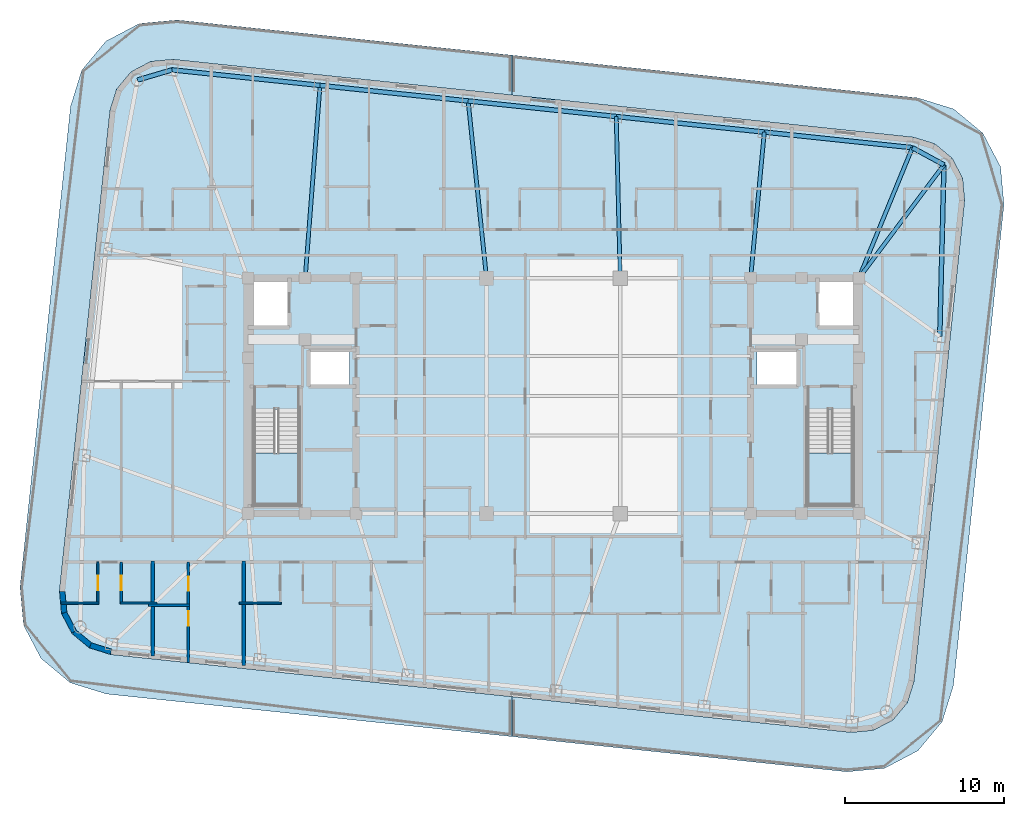
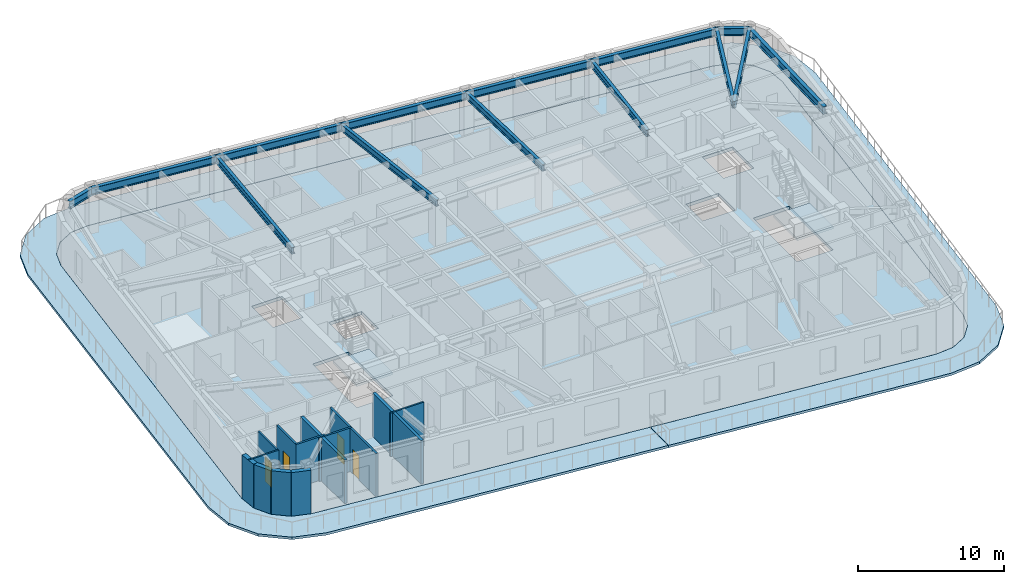
# One storey, part 2 of 14: 14 beams, 14 walls, 5 slabs, 4 doors, 4 openings, 2 elements without a shape of their own.
"""IFC4 building model written with IfcOpenShell, lengths in metres."""

from ifc_helpers import new_model, si_unit, direction, frame, frame_2d, origin, origin_2d, place, context, subcontext, project, spatial, polyline, rectangle, i_section, outline, extrude, material, layer, layer_set, material_profile, profile_set, type_object, element, fill, aggregate, save


model = new_model("IFC4")

# Units and contexts
model_context = context("Model", 3, precision=1e-05, world=origin(), true_north=direction((0.0, 1.0)))
body_context = subcontext(model_context, "Body", "Model", "MODEL_VIEW")
ifc_project = project(units=[si_unit("LENGTHUNIT", "METRE"), si_unit("AREAUNIT", "SQUARE_METRE"), si_unit("VOLUMEUNIT", "CUBIC_METRE"), si_unit("PLANEANGLEUNIT", "RADIAN"), si_unit("MASSUNIT", "GRAM", prefix="KILO")], contexts=[model_context])

# Site, building, storey
site_placement = place(None, origin())
site = spatial("IfcSite", under=ifc_project, at=site_placement, CompositionType="ELEMENT")
building_placement = place(site_placement, origin())
building = spatial("IfcBuilding", under=site, at=building_placement, Name="Voryun Gate Residences", CompositionType="ELEMENT")
storey_placement = place(building_placement, frame((0.0, 0.0, 291.199951171875)))
storey = spatial("IfcBuildingStorey", under=building, at=storey_placement, Name="L72", CompositionType="ELEMENT", Elevation=291.199951171875)

# Beams
ifc_material_1 = material(Name="Steel SM355", Category="steel")
ifc_material_profile_1 = material_profile(ifc_material_1, i_section(OverallWidth=0.280029296875, OverallDepth=0.6201171875, WebThickness=0.013916015625, FlangeThickness=0.02197265625, FilletRadius=0.01806640625, at=origin_2d()), Name="H-620x280x14x22")
ifc_profile_set_1 = profile_set([ifc_material_profile_1], Name="Steel SM355")
beam_type_1 = type_object("IfcBeamType", Name="BM_EXO_SPANDREL_H", PredefinedType="SPANDREL", material=ifc_profile_set_1)
beam_1_placement = place(storey_placement, frame((24.28857421875, 3.743896484375, 3.324951171875), z_axis=(0.024534711967, 0.999698978647, 0.0), x_axis=(-0.999698978647, 0.024534711967, 0.0)))
element("IfcBeam", 1, at=beam_1_placement, inside=storey, type_object=beam_type_1, Name="BM-L72-SPAND-09", PredefinedType="SPANDREL", context=body_context, shape_type="SweptSolid", body=[
    extrude(i_section(OverallWidth=0.280029296875, OverallDepth=0.6201171875, WebThickness=0.013916015625, FlangeThickness=0.02197265625, FilletRadius=0.01806640625, at=origin_2d()), origin(), (0.0, 0.0, 1.0), 10.78662109375),
])
beam_2_placement = place(storey_placement, frame((24.55322265625, 14.52734375, 3.324951171875), z_axis=(-0.878844363117, 0.477108567746, 0.0), x_axis=(-0.477108567746, -0.878844363117, 0.0)))
element("IfcBeam", 2, at=beam_2_placement, inside=storey, type_object=beam_type_1, Name="BM-L72-SPAND-10", PredefinedType="SPANDREL", context=body_context, shape_type="SweptSolid", body=[
    extrude(i_section(OverallWidth=0.280029296875, OverallDepth=0.6201171875, WebThickness=0.013916015625, FlangeThickness=0.02197265625, FilletRadius=0.01806640625, at=origin_2d()), origin(), (0.0, 0.0, 1.0), 2.257568359375),
])
beam_3_placement = place(storey_placement, frame((22.569091796875, 15.6044921875, 3.324951171875), z_axis=(-0.994520592114, 0.104540862157, 0.0), x_axis=(-0.104540862157, -0.994520592114, 0.0)))
element("IfcBeam", 3, at=beam_3_placement, inside=storey, type_object=beam_type_1, Name="BM-L72-SPAND-11", PredefinedType="SPANDREL", context=body_context, shape_type="SweptSolid", body=[
    extrude(i_section(OverallWidth=0.280029296875, OverallDepth=0.6201171875, WebThickness=0.013916015625, FlangeThickness=0.02197265625, FilletRadius=0.01806640625, at=origin_2d()), origin(), (0.0, 0.0, 1.0), 9.360107421875),
])
beam_4_placement = place(storey_placement, frame((13.26025390625, 16.5830078125, 3.324951171875), z_axis=(-0.994523018663, 0.104517775278, 0.0), x_axis=(-0.104517775278, -0.994523018663, 0.0)))
element("IfcBeam", 4, at=beam_4_placement, inside=storey, type_object=beam_type_1, Name="BM-L72-SPAND-12", PredefinedType="SPANDREL", context=body_context, shape_type="SweptSolid", body=[
    extrude(i_section(OverallWidth=0.280029296875, OverallDepth=0.6201171875, WebThickness=0.013916015625, FlangeThickness=0.02197265625, FilletRadius=0.01806640625, at=origin_2d()), origin(), (0.0, 0.0, 1.0), 9.35986328125),
])
for number, where, z_axis, x_axis, name in (
    (5, (3.95166015625, 17.561279296875, 3.324951171875), (-0.994520592114, 0.104540862157, 0.0), (-0.104540862157, -0.994520592114, 0.0), "BM-L72-SPAND-13"),
    (6, (-5.357177734375, 18.539794921875, 3.324951171875), (-0.994523303591, 0.104515064059, 0.0), (-0.104515064059, -0.994523303591, 0.0), "BM-L72-SPAND-14"),
):
    element("IfcBeam", number, at=place(storey_placement, frame(where, z_axis=z_axis, x_axis=x_axis)), inside=storey, type_object=beam_type_1, Name=name, PredefinedType="SPANDREL", context=body_context, shape_type="SweptSolid", body=[
        extrude(i_section(OverallWidth=0.280029296875, OverallDepth=0.6201171875, WebThickness=0.013916015625, FlangeThickness=0.02197265625, FilletRadius=0.01806640625, at=origin_2d()), origin(), (0.0, 0.0, 1.0), 9.360107421875),
    ])
beam_5_placement = place(storey_placement, frame((-14.666015625, 19.51806640625, 3.324951171875), z_axis=(-0.994520307047, 0.104543574031, 0.0), x_axis=(-0.104543574031, -0.994520307047, 0.0)))
element("IfcBeam", 7, at=beam_5_placement, inside=storey, type_object=beam_type_1, Name="BM-L72-SPAND-15", PredefinedType="SPANDREL", context=body_context, shape_type="SweptSolid", body=[
    extrude(i_section(OverallWidth=0.280029296875, OverallDepth=0.6201171875, WebThickness=0.013916015625, FlangeThickness=0.02197265625, FilletRadius=0.01806640625, at=origin_2d()), origin(), (0.0, 0.0, 1.0), 9.35986328125),
])
beam_6_placement = place(storey_placement, frame((-23.974609375, 20.49658203125, 3.324951171875), z_axis=(-0.958805748412, -0.28406255792, 0.0), x_axis=(0.28406255792, -0.958805748412, 0.0)))
element("IfcBeam", 8, at=beam_6_placement, inside=storey, type_object=beam_type_1, Name="BM-L72-SPAND-16", PredefinedType="SPANDREL", context=body_context, shape_type="SweptSolid", body=[
    extrude(i_section(OverallWidth=0.280029296875, OverallDepth=0.6201171875, WebThickness=0.013916015625, FlangeThickness=0.02197265625, FilletRadius=0.01806640625, at=origin_2d()), origin(), (0.0, 0.0, 1.0), 2.2578125),
])
ifc_material_2 = material(Name="Steel SM355", Category="steel")
ifc_material_profile_2 = material_profile(ifc_material_2, i_section(OverallWidth=0.239990234375, OverallDepth=0.550048828125, WebThickness=0.011962890625, FlangeThickness=0.02001953125, FilletRadius=0.01806640625, at=origin_2d()), Name="H-550x240x12x20")
ifc_profile_set_2 = profile_set([ifc_material_profile_2], Name="Steel SM355")
beam_type_2 = type_object("IfcBeamType", Name="BM_GIRD_550", PredefinedType="USERDEFINED", material=ifc_profile_set_2)
beam_7_placement = place(storey_placement, frame((19.199951171875, 7.39990234375, 3.360107421875), z_axis=(0.60055201327, 0.799585692316, 0.0), x_axis=(-0.799585692316, 0.60055201327, 0.0)))
element("IfcBeam", 9, at=beam_7_placement, inside=storey, type_object=beam_type_2, Name="BM-L72-RAD-CNE", ObjectType="GIRDER", PredefinedType="USERDEFINED", context=body_context, shape_type="SweptSolid", body=[
    extrude(i_section(OverallWidth=0.239990234375, OverallDepth=0.550048828125, WebThickness=0.011962890625, FlangeThickness=0.02001953125, FilletRadius=0.01806640625, at=origin_2d()), origin(), (0.0, 0.0, 1.0), 8.913818359375),
])
beam_8_placement = place(storey_placement, frame((19.199951171875, 7.39990234375, 3.360107421875), z_axis=(0.379860811741, 0.925043655026, 0.0), x_axis=(-0.925043655026, 0.379860811741, 0.0)))
element("IfcBeam", 10, at=beam_8_placement, inside=storey, type_object=beam_type_2, Name="BM-L72-RAD-N1", ObjectType="GIRDER", PredefinedType="USERDEFINED", context=body_context, shape_type="SweptSolid", body=[
    extrude(i_section(OverallWidth=0.239990234375, OverallDepth=0.550048828125, WebThickness=0.011962890625, FlangeThickness=0.02001953125, FilletRadius=0.01806640625, at=origin_2d()), origin(), (0.0, 0.0, 1.0), 8.869384765625),
])
beam_9_placement = place(storey_placement, frame((12.39990234375, 7.39990234375, 3.360107421875), z_axis=(0.093280030115, 0.995639912811, 0.0), x_axis=(-0.995639912811, 0.093280030115, 0.0)))
element("IfcBeam", 11, at=beam_9_placement, inside=storey, type_object=beam_type_2, Name="BM-L72-RAD-N2", ObjectType="GIRDER", PredefinedType="USERDEFINED", context=body_context, shape_type="SweptSolid", body=[
    extrude(i_section(OverallWidth=0.239990234375, OverallDepth=0.550048828125, WebThickness=0.011962890625, FlangeThickness=0.02001953125, FilletRadius=0.01806640625, at=origin_2d()), origin(), (0.0, 0.0, 1.0), 9.223388671875),
])
beam_10_placement = place(storey_placement, frame((4.199951171875, 7.39990234375, 3.360107421875), z_axis=(-0.024427489288, 0.999701604364, 0.0), x_axis=(-0.999701604364, -0.024427489288, 0.0)))
element("IfcBeam", 12, at=beam_10_placement, inside=storey, type_object=beam_type_2, Name="BM-L72-RAD-N3", ObjectType="GIRDER", PredefinedType="USERDEFINED", context=body_context, shape_type="SweptSolid", body=[
    extrude(i_section(OverallWidth=0.239990234375, OverallDepth=0.550048828125, WebThickness=0.011962890625, FlangeThickness=0.02001953125, FilletRadius=0.01806640625, at=origin_2d()), origin(), (0.0, 0.0, 1.0), 10.164306640625),
])
beam_11_placement = place(storey_placement, frame((-4.199951171875, 7.39990234375, 3.360107421875), z_axis=(-0.103325291149, 0.994647618109, 0.0), x_axis=(-0.994647618109, -0.103325291149, 0.0)))
element("IfcBeam", 13, at=beam_11_placement, inside=storey, type_object=beam_type_2, Name="BM-L72-RAD-N4", ObjectType="GIRDER", PredefinedType="USERDEFINED", context=body_context, shape_type="SweptSolid", body=[
    extrude(i_section(OverallWidth=0.239990234375, OverallDepth=0.550048828125, WebThickness=0.011962890625, FlangeThickness=0.02001953125, FilletRadius=0.01806640625, at=origin_2d()), origin(), (0.0, 0.0, 1.0), 11.199951171875),
])
beam_12_placement = place(storey_placement, frame((-15.60009765625, 7.39990234375, 3.360107421875), z_axis=(0.07685317718, 0.997042420942, 0.0), x_axis=(-0.997042420942, 0.07685317718, 0.0)))
element("IfcBeam", 14, at=beam_12_placement, inside=storey, type_object=beam_type_2, Name="BM-L72-RAD-N5", ObjectType="GIRDER", PredefinedType="USERDEFINED", context=body_context, shape_type="SweptSolid", body=[
    extrude(i_section(OverallWidth=0.239990234375, OverallDepth=0.550048828125, WebThickness=0.011962890625, FlangeThickness=0.02001953125, FilletRadius=0.01806640625, at=origin_2d()), origin(), (0.0, 0.0, 1.0), 12.154052734375),
])

# Slabs
ifc_material_3 = material(Name="Concrete C40/50", Category="concrete")
ifc_layer_1 = layer(ifc_material_3, 0.199951171875, Name="SLB_BALCONY_200")
ifc_layer_set_1 = layer_set([ifc_layer_1], Name="Concrete C40/50")
slab_type_1 = type_object("IfcSlabType", Name="SLB_BALCONY_200", PredefinedType="FLOOR", material=ifc_layer_set_1)
slab_1_placement = place(storey_placement, frame((0.0, 0.0, -0.199951171875)))
element("IfcSlab", 15, at=slab_1_placement, inside=storey, type_object=slab_type_1, Name="L72 External Residential Balcony WEST", PredefinedType="FLOOR", context=body_context, shape_type="SweptSolid", body=[
    extrude(outline(polyline([(-30.371337890625, -18.031494140625), (-32.201171875, -16.509521484375), (-33.309326171875, -14.4033203125), (-33.52734375, -12.033203125), (-30.349609375, 18.200439453125), (-29.643798828125, 20.473388671875), (-28.121826171875, 22.30322265625), (-26.015380859375, 23.41162109375), (-23.645263671875, 23.62939453125), (-2.610107421875, 21.41845703125), (-2.610107421875, 18.90673828125), (-23.906494140625, 21.14501953125), (-23.90673828125, 21.14501953125), (-23.90673828125, 21.14501953125), (-25.3056640625, 21.016357421875), (-25.305908203125, 21.016357421875), (-25.305908203125, 21.016357421875), (-25.30615234375, 21.016357421875), (-25.306396484375, 21.01611328125), (-26.549560546875, 20.3623046875), (-26.549560546875, 20.362060546875), (-26.5498046875, 20.362060546875), (-26.550048828125, 20.36181640625), (-26.550048828125, 20.36181640625), (-27.4482421875, 19.28173828125), (-27.448486328125, 19.281494140625), (-27.448486328125, 19.281494140625), (-27.448486328125, 19.28125), (-27.44873046875, 19.281005859375), (-27.865234375, 17.939697265625), (-27.865234375, 17.939453125), (-27.865234375, 17.939208984375), (-31.04296875, -12.294189453125), (-31.04296875, -12.29443359375), (-31.04296875, -12.294677734375), (-30.914306640625, -13.693359375), (-30.914306640625, -13.693603515625), (-30.914306640625, -13.69384765625), (-30.914306640625, -13.694091796875), (-30.9140625, -13.694091796875), (-30.26025390625, -14.937255859375), (-30.260009765625, -14.9375), (-30.260009765625, -14.9375), (-30.259765625, -14.937744140625), (-30.259765625, -14.937744140625), (-29.1796875, -15.8359375), (-29.179443359375, -15.836181640625), (-29.179443359375, -15.836181640625), (-29.17919921875, -15.83642578125), (-29.178955078125, -15.83642578125), (-27.837646484375, -16.2529296875), (-27.83740234375, -16.2529296875), (-27.837158203125, -16.2529296875), (-2.610107421875, -18.904541015625), (-2.610107421875, -21.416259765625), (-28.098388671875, -18.7373046875), (-30.371337890625, -18.031494140625)])), origin(), (0.0, 0.0, 1.0), 0.199951171875),
])
slab_2_placement = place(storey_placement, frame((0.0, 0.0, -0.199951171875)))
element("IfcSlab", 16, at=slab_2_placement, inside=storey, type_object=slab_type_1, Name="L72 External Residential Balcony EAST", PredefinedType="FLOOR", context=body_context, shape_type="SweptSolid", body=[
    extrude(outline(polyline([(22.898193359375, 18.7373046875), (25.17138671875, 18.031494140625), (27.001220703125, 16.509521484375), (28.109375, 14.4033203125), (28.3271484375, 12.033203125), (25.149658203125, -18.200439453125), (24.44384765625, -20.473388671875), (22.921875, -22.30322265625), (20.8154296875, -23.41162109375), (18.4453125, -23.62939453125), (-2.590087890625, -21.41845703125), (-2.590087890625, -18.90673828125), (18.70654296875, -21.14501953125), (18.70654296875, -21.14501953125), (18.706787109375, -21.14501953125), (20.105712890625, -21.016357421875), (20.105712890625, -21.016357421875), (20.10595703125, -21.016357421875), (20.106201171875, -21.016357421875), (20.1064453125, -21.01611328125), (21.349365234375, -20.3623046875), (21.349609375, -20.362060546875), (21.349853515625, -20.362060546875), (21.349853515625, -20.36181640625), (21.35009765625, -20.36181640625), (22.248291015625, -19.28173828125), (22.248291015625, -19.281494140625), (22.24853515625, -19.281494140625), (22.24853515625, -19.28125), (22.24853515625, -19.281005859375), (22.665283203125, -17.939697265625), (22.665283203125, -17.939453125), (22.665283203125, -17.939208984375), (25.843017578125, 12.294189453125), (25.843017578125, 12.29443359375), (25.843017578125, 12.294677734375), (25.71435546875, 13.693359375), (25.71435546875, 13.693603515625), (25.71435546875, 13.69384765625), (25.71435546875, 13.694091796875), (25.714111328125, 13.694091796875), (25.06005859375, 14.937255859375), (25.06005859375, 14.9375), (25.059814453125, 14.9375), (25.059814453125, 14.937744140625), (25.0595703125, 14.937744140625), (23.979736328125, 15.8359375), (23.9794921875, 15.836181640625), (23.979248046875, 15.836181640625), (23.979248046875, 15.83642578125), (23.97900390625, 15.83642578125), (22.637451171875, 16.2529296875), (22.637451171875, 16.2529296875), (22.63720703125, 16.2529296875), (-2.590087890625, 18.904541015625), (-2.590087890625, 21.416259765625), (22.898193359375, 18.7373046875)])), origin(), (0.0, 0.0, 1.0), 0.199951171875),
])
ifc_material_4 = material(Name="Concrete C40/50", Category="concrete")
ifc_layer_2 = layer(ifc_material_4, 0.264892578125, Name="SLB_PENT_265")
ifc_layer_set_2 = layer_set([ifc_layer_2], Name="Concrete C40/50")
slab_type_2 = type_object("IfcSlabType", Name="SLB_PENT_265", PredefinedType="FLOOR", material=ifc_layer_set_2)
slab_3_placement = place(storey_placement, frame((0.0, 0.0, -0.264892578125)))
element("IfcSlab", 17, at=slab_3_placement, inside=storey, type_object=slab_type_2, Name="L72 Structural Floor Slab", PredefinedType="FLOOR", context=body_context, shape_type="SweptSolid", body=[
    extrude(outline(polyline([(-27.8369140625, -16.2509765625), (-29.178466796875, -15.83447265625), (-30.25830078125, -14.936279296875), (-30.912353515625, -13.693115234375), (-31.041015625, -12.29443359375), (-27.86328125, 17.93896484375), (-27.44677734375, 19.280517578125), (-26.548583984375, 20.3603515625), (-25.305419921875, 21.014404296875), (-23.90673828125, 21.14306640625), (22.636962890625, 16.2509765625), (23.978515625, 15.83447265625), (25.058349609375, 14.936279296875), (25.71240234375, 13.693115234375), (25.8408203125, 12.29443359375), (22.663330078125, -17.93896484375), (22.246826171875, -19.280517578125), (21.3486328125, -20.3603515625), (20.10546875, -21.014404296875), (18.706787109375, -21.14306640625), (-27.8369140625, -16.2509765625)]), holes=[polyline([(-15.97509765625, -0.840087890625), (-18.824951171875, -0.840087890625), (-18.824951171875, -6.85009765625), (-15.97509765625, -6.85009765625), (-15.97509765625, -0.840087890625)]), polyline([(18.824951171875, -6.85009765625), (18.824951171875, -0.840087890625), (15.97509765625, -0.840087890625), (15.97509765625, -6.85009765625), (18.824951171875, -6.85009765625)]), polyline([(-12.800048828125, 2.89990234375), (-15.39990234375, 2.89990234375), (-15.39990234375, 0.60009765625), (-12.800048828125, 0.60009765625), (-12.800048828125, 2.89990234375)]), polyline([(12.800048828125, 2.89990234375), (12.800048828125, 0.60009765625), (15.39990234375, 0.60009765625), (15.39990234375, 2.89990234375), (12.800048828125, 2.89990234375)]), polyline([(-16.60009765625, 7.199951171875), (-19.0, 7.199951171875), (-19.0, 4.300048828125), (-16.60009765625, 4.300048828125), (-16.60009765625, 7.199951171875)]), polyline([(19.0, 7.199951171875), (16.60009765625, 7.199951171875), (16.60009765625, 4.300048828125), (19.0, 4.300048828125), (19.0, 7.199951171875)])]), origin(), (0.0, 0.0, 1.0), 0.264892578125),
])

# Stair, slab
ifc_material_5 = material(Name="Concrete C40/50", Category="concrete")
stair_type = type_object("IfcStairType", Name="STR_CORE_DOGLEG_1350", PredefinedType="HALF_TURN_STAIR", material=ifc_material_5)
stair_1_placement = place(storey_placement, origin())
stair_1 = element("IfcStair", 18, at=stair_1_placement, inside=storey, type_object=stair_type, Name="L72 Special Escape Stair ST-W1", PredefinedType="HALF_TURN_STAIR")
ifc_material_6 = material(Name="Concrete C40/50", Category="concrete")
ifc_layer_3 = layer(ifc_material_6, 0.199951171875, Name="SLB_STAIR_LANDING_200")
ifc_layer_set_3 = layer_set([ifc_layer_3], Name="Concrete C40/50")
slab_type_3 = type_object("IfcSlabType", Name="SLB_STAIR_LANDING_200", PredefinedType="LANDING", material=ifc_layer_set_3)
slab_4_placement = place(storey_placement, frame((0.0, 0.0, 1.75)))
slab_4 = element("IfcSlab", 19, at=slab_4_placement, type_object=slab_type_3, Name="ST-W1 landing 1", PredefinedType="LANDING", context=body_context, shape_type="SweptSolid", body=[
    extrude(outline(polyline([(-18.824951171875, -3.60009765625), (-18.824951171875, -6.85009765625), (-15.97509765625, -6.85009765625), (-15.97509765625, -3.60009765625), (-18.824951171875, -3.60009765625)])), origin(), (0.0, 0.0, 1.0), 0.199951171875),
])
aggregate(stair_1, [slab_4])

stair_2_placement = place(storey_placement, origin())
stair_2 = element("IfcStair", 20, at=stair_2_placement, inside=storey, type_object=stair_type, Name="L72 Special Escape Stair ST-E1", PredefinedType="HALF_TURN_STAIR")
slab_5_placement = place(storey_placement, frame((0.0, 0.0, 1.75)))
slab_5 = element("IfcSlab", 21, at=slab_5_placement, type_object=slab_type_3, Name="ST-E1 landing 1", PredefinedType="LANDING", context=body_context, shape_type="SweptSolid", body=[
    extrude(outline(polyline([(15.97509765625, -3.60009765625), (15.97509765625, -6.85009765625), (18.824951171875, -6.85009765625), (18.824951171875, -3.60009765625), (15.97509765625, -3.60009765625)])), origin(), (0.0, 0.0, 1.0), 0.199951171875),
])
aggregate(stair_2, [slab_5])

# Walls
ifc_material_7 = material(Name="Charcoal terracotta masonry", Category="masonry")
ifc_layer_4 = layer(ifc_material_7, 0.340087890625, Name="W_EXT_TERRACOTTA_340")
ifc_layer_set_4 = layer_set([ifc_layer_4], Name="Charcoal terracotta masonry")
wall_type_1 = type_object("IfcWallType", Name="W_EXT_TERRACOTTA_340", PredefinedType="ELEMENTEDWALL", material=ifc_layer_set_4)
wall_1_placement = place(storey_placement, frame((-27.802490234375, -16.083740234375, 0.0), z_axis=(0.0, 0.0, 1.0), x_axis=(-0.955007802701, 0.296580674994, 0.0)))
element("IfcWall", 22, at=wall_1_placement, inside=storey, type_object=wall_type_1, Name="Exterior wall WEXT-L72-02", PredefinedType="ELEMENTEDWALL", context=body_context, shape_type="SweptSolid", body=[
    extrude(rectangle(XDim=1.354248046875, YDim=0.340087890625, at=frame_2d((0.67724609375, 0.0))), origin(), (0.0, 0.0, 1.0), 3.635009765625),
])
wall_2_placement = place(storey_placement, frame((-29.095703125, -15.68212890625, 0.0), z_axis=(0.0, 0.0, 1.0), x_axis=(-0.768864427906, 0.639411832469, 0.0)))
element("IfcWall", 23, at=wall_2_placement, inside=storey, type_object=wall_type_1, Name="Exterior wall WEXT-L72-03", PredefinedType="ELEMENTEDWALL", context=body_context, shape_type="SweptSolid", body=[
    extrude(rectangle(XDim=1.337158203125, YDim=0.340087890625, at=frame_2d((0.66845703125, 0.0))), origin(), (0.0, 0.0, 1.0), 3.635009765625),
])
wall_3_placement = place(storey_placement, frame((-30.123779296875, -14.8271484375, 0.0), z_axis=(0.0, 0.0, 1.0), x_axis=(-0.465528132217, 0.885033083062, 0.0)))
element("IfcWall", 24, at=wall_3_placement, inside=storey, type_object=wall_type_1, Name="Exterior wall WEXT-L72-04", PredefinedType="ELEMENTEDWALL", context=body_context, shape_type="SweptSolid", body=[
    extrude(rectangle(XDim=1.3369140625, YDim=0.340087890625, at=frame_2d((0.66845703125, 0.0))), origin(), (0.0, 0.0, 1.0), 3.635009765625),
])
wall_4_placement = place(storey_placement, frame((-30.74609375, -13.64404296875, 0.0), z_axis=(0.0, 0.0, 1.0), x_axis=(-0.091592370975, 0.995796584438, 0.0)))
element("IfcWall", 25, at=wall_4_placement, inside=storey, type_object=wall_type_1, Name="Exterior wall WEXT-L72-05", PredefinedType="ELEMENTEDWALL", context=body_context, shape_type="SweptSolid", body=[
    extrude(rectangle(XDim=1.35400390625, YDim=0.340087890625, at=frame_2d((0.677001953125, 0.0))), origin(), (0.0, 0.0, 1.0), 3.635009765625),
])
ifc_material_8 = material(Name="Concrete C40/50", Category="concrete")
ifc_layer_5 = layer(ifc_material_8, 0.219970703125, Name="W_PARTY_ACOUSTIC_220")
ifc_layer_set_5 = layer_set([ifc_layer_5], Name="Concrete C40/50")
wall_type_2 = type_object("IfcWallType", Name="W_PARTY_ACOUSTIC_220", PredefinedType="PARTITIONING", material=ifc_layer_set_5)
wall_5_placement = place(storey_placement, frame((-25.177978515625, -16.359619140625, 0.0), z_axis=(0.0, 0.0, 1.0), x_axis=(0.0, 1.0, 0.0)))
element("IfcWall", 26, at=wall_5_placement, inside=storey, type_object=wall_type_2, Name="Partition wall WP-L72-SPTY-1", PredefinedType="PARTITIONING", context=body_context, shape_type="SweptSolid", body=[
    extrude(rectangle(XDim=5.989501953125, YDim=0.219970703125, at=frame_2d((2.99462890625, 0.0))), origin(), (0.0, 0.0, 1.0), 3.635009765625),
])
wall_6_placement = place(storey_placement, frame((-19.47802734375, -16.958740234375, 0.0), z_axis=(0.0, 0.0, 1.0), x_axis=(0.0, 1.0, 0.0)))
element("IfcWall", 27, at=wall_6_placement, inside=storey, type_object=wall_type_2, Name="Partition wall WP-L72-SPTY-2", PredefinedType="PARTITIONING", context=body_context, shape_type="SweptSolid", body=[
    extrude(rectangle(XDim=6.588623046875, YDim=0.219970703125, at=frame_2d((3.29443359375, 0.0))), origin(), (0.0, 0.0, 1.0), 3.635009765625),
])

# Wall, opening, door
ifc_material_9 = material(Name="Gypsum acoustic partition")
ifc_layer_6 = layer(ifc_material_9, 0.125, Name="W_UNIT_PART_125")
ifc_layer_set_6 = layer_set([ifc_layer_6], Name="Gypsum acoustic partition")
wall_type_3 = type_object("IfcWallType", Name="W_UNIT_PART_125", PredefinedType="PARTITIONING", material=ifc_layer_set_6)
wall_7_placement = place(storey_placement, frame((-28.626953125, -13.080078125, 0.0), z_axis=(0.0, 0.0, 1.0), x_axis=(0.0, 1.0, 0.0)))
wall_7 = element("IfcWall", 28, at=wall_7_placement, inside=storey, type_object=wall_type_3, Name="Partition wall WP-L72-S1-CVK", PredefinedType="PARTITIONING", context=body_context, shape_type="SweptSolid", body=[
    extrude(rectangle(XDim=2.650146484375, YDim=0.125, at=frame_2d((1.3251953125, 0.0))), origin(), (0.0, 0.0, 1.0), 3.635009765625),
])
opening_1_placement = place(wall_7_placement, frame((0.875, 0.0, 0.0)))
opening_1 = element("IfcOpeningElement", 29, at=opening_1_placement, cuts=wall_7, Name="Opening D-INT-2", PredefinedType="OPENING", context=body_context, shape_type="SweptSolid", body=[
    extrude(rectangle(XDim=0.89990234375, YDim=2.050048828125, at=frame_2d((0.449951171875, 1.02490234375))), frame((0.0, 0.072509765625, 0.0), z_axis=(0.0, -1.0, 0.0), x_axis=(1.0, 0.0, 0.0)), (0.0, 0.0, 1.0), 0.14501953125),
])
ifc_material_10 = material(Name="Architectural oak veneer")
door_type = type_object("IfcDoorType", Name="DR_INT_BATH_900", OperationType="NOTDEFINED", PredefinedType="DOOR", material=ifc_material_10)
door_1_placement = place(opening_1_placement, origin())
door_1 = element("IfcDoor", 30, at=door_1_placement, inside=storey, type_object=door_type, Name="Door DR-L72-S1-DK", OperationType="SINGLE_SWING_LEFT", OverallHeight=2.050048828125, OverallWidth=0.89990234375, PredefinedType="DOOR", context=body_context, shape_type="SweptSolid", body=[
    extrude(rectangle(XDim=0.89990234375, YDim=2.050048828125, at=frame_2d((0.449951171875, 1.02490234375))), frame((0.0, 0.02490234375, 0.0), z_axis=(0.0, -1.0, 0.0), x_axis=(1.0, 0.0, 0.0)), (0.0, 0.0, 1.0), 0.050048828125),
])
fill(opening_1, door_1)

# Walls
wall_8_placement = place(storey_placement, frame((-30.9541015625, -13.02001953125, 0.0), z_axis=(0.0, 0.0, 1.0), x_axis=(1.0, 0.0, 0.0)))
element("IfcWall", 31, at=wall_8_placement, inside=storey, type_object=wall_type_3, Name="Partition wall WP-L72-S1-CHK", PredefinedType="PARTITIONING", context=body_context, shape_type="SweptSolid", body=[
    extrude(rectangle(XDim=2.38720703125, YDim=0.125, at=frame_2d((1.193603515625, 0.0))), origin(), (0.0, 0.0, 1.0), 3.635009765625),
])
wall_9_placement = place(storey_placement, frame((-19.738037109375, -13.02001953125, 0.0), z_axis=(0.0, 0.0, 1.0), x_axis=(1.0, 0.0, 0.0)))
element("IfcWall", 32, at=wall_9_placement, inside=storey, type_object=wall_type_3, Name="Partition wall WP-L72-S3-CHK", PredefinedType="PARTITIONING", context=body_context, shape_type="SweptSolid", body=[
    extrude(rectangle(XDim=2.630126953125, YDim=0.125, at=frame_2d((1.31494140625, 0.0))), origin(), (0.0, 0.0, 1.0), 3.635009765625),
])

# Wall, opening, door
ifc_material_11 = material(Name="Gypsum moisture-resistant partition")
ifc_layer_7 = layer(ifc_material_11, 0.14990234375, Name="W_WET_PLUMB_150")
ifc_layer_set_7 = layer_set([ifc_layer_7], Name="Gypsum moisture-resistant partition")
wall_type_4 = type_object("IfcWallType", Name="W_WET_PLUMB_150", PredefinedType="PLUMBINGWALL", material=ifc_layer_set_7)
wall_10_placement = place(storey_placement, frame((-27.155029296875, -13.080078125, 0.0), z_axis=(0.0, 0.0, 1.0), x_axis=(0.0, 1.0, 0.0)))
wall_10 = element("IfcWall", 33, at=wall_10_placement, inside=storey, type_object=wall_type_4, Name="Partition wall WP-L72-S1-CVB", PredefinedType="PLUMBINGWALL", context=body_context, shape_type="SweptSolid", body=[
    extrude(rectangle(XDim=2.650146484375, YDim=0.14990234375, at=frame_2d((1.3251953125, 0.0))), origin(), (0.0, 0.0, 1.0), 3.635009765625),
])
opening_2_placement = place(wall_10_placement, frame((0.875, 0.0, 0.0)))
opening_2 = element("IfcOpeningElement", 34, at=opening_2_placement, cuts=wall_10, Name="Opening D-INT-2", PredefinedType="OPENING", context=body_context, shape_type="SweptSolid", body=[
    extrude(rectangle(XDim=0.89990234375, YDim=2.050048828125, at=frame_2d((0.449951171875, 1.02490234375))), frame((0.0, 0.0849609375, 0.0), z_axis=(0.0, -1.0, 0.0), x_axis=(1.0, 0.0, 0.0)), (0.0, 0.0, 1.0), 0.169921875),
])
door_2_placement = place(opening_2_placement, origin())
door_2 = element("IfcDoor", 35, at=door_2_placement, inside=storey, type_object=door_type, Name="Door DR-L72-S1-DB", OperationType="SINGLE_SWING_RIGHT", OverallHeight=2.050048828125, OverallWidth=0.89990234375, PredefinedType="DOOR", context=body_context, shape_type="SweptSolid", body=[
    extrude(rectangle(XDim=0.89990234375, YDim=2.050048828125, at=frame_2d((0.449951171875, 1.02490234375))), frame((0.0, 0.02490234375, 0.0), z_axis=(0.0, -1.0, 0.0), x_axis=(1.0, 0.0, 0.0)), (0.0, 0.0, 1.0), 0.050048828125),
])
fill(opening_2, door_2)

# Walls
wall_11_placement = place(storey_placement, frame((-27.215087890625, -13.02001953125, 0.0), z_axis=(0.0, 0.0, 1.0), x_axis=(1.0, 0.0, 0.0)))
element("IfcWall", 36, at=wall_11_placement, inside=storey, type_object=wall_type_4, Name="Partition wall WP-L72-S1-CHB", PredefinedType="PLUMBINGWALL", context=body_context, shape_type="SweptSolid", body=[
    extrude(rectangle(XDim=2.297119140625, YDim=0.14990234375, at=frame_2d((1.1484375, 0.0))), origin(), (0.0, 0.0, 1.0), 3.635009765625),
])
wall_12_placement = place(storey_placement, frame((-25.43798828125, -13.14990234375, 0.0), z_axis=(0.0, 0.0, 1.0), x_axis=(1.0, 0.0, 0.0)))
element("IfcWall", 37, at=wall_12_placement, inside=storey, type_object=wall_type_4, Name="Partition wall WP-L72-S2-SKB", PredefinedType="PLUMBINGWALL", context=body_context, shape_type="SweptSolid", body=[
    extrude(rectangle(XDim=2.575927734375, YDim=0.14990234375, at=frame_2d((1.2880859375, 0.0))), origin(), (0.0, 0.0, 1.0), 3.635009765625),
])

# Wall, opening, door
wall_13_placement = place(storey_placement, frame((-22.94189453125, -16.745361328125, 0.0), z_axis=(0.0, 0.0, 1.0), x_axis=(0.0, 1.0, 0.0)))
wall_13 = element("IfcWall", 38, at=wall_13_placement, inside=storey, type_object=wall_type_4, Name="Partition wall WP-L72-S2-SVT1", PredefinedType="PLUMBINGWALL", context=body_context, shape_type="SweptSolid", body=[
    extrude(rectangle(XDim=3.63525390625, YDim=0.14990234375, at=frame_2d((1.817626953125, 0.0))), origin(), (0.0, 0.0, 1.0), 3.635009765625),
])
opening_3_placement = place(wall_13_placement, frame((2.31103515625, 0.0, 0.0)))
opening_3 = element("IfcOpeningElement", 39, at=opening_3_placement, cuts=wall_13, Name="Opening D-INT-2", PredefinedType="OPENING", context=body_context, shape_type="SweptSolid", body=[
    extrude(rectangle(XDim=0.89990234375, YDim=2.050048828125, at=frame_2d((0.449951171875, 1.02490234375))), frame((0.0, 0.0849609375, 0.0), z_axis=(0.0, -1.0, 0.0), x_axis=(1.0, 0.0, 0.0)), (0.0, 0.0, 1.0), 0.169921875),
])
door_3_placement = place(opening_3_placement, origin())
door_3 = element("IfcDoor", 40, at=door_3_placement, inside=storey, type_object=door_type, Name="Door DR-L72-S2-DK", OperationType="SINGLE_SWING_LEFT", OverallHeight=2.050048828125, OverallWidth=0.89990234375, PredefinedType="DOOR", context=body_context, shape_type="SweptSolid", body=[
    extrude(rectangle(XDim=0.89990234375, YDim=2.050048828125, at=frame_2d((0.449951171875, 1.02490234375))), frame((0.0, 0.02490234375, 0.0), z_axis=(0.0, -1.0, 0.0), x_axis=(1.0, 0.0, 0.0)), (0.0, 0.0, 1.0), 0.050048828125),
])
fill(opening_3, door_3)

wall_14_placement = place(storey_placement, frame((-22.94189453125, -13.18994140625, 0.0), z_axis=(0.0, 0.0, 1.0), x_axis=(0.0, 1.0, 0.0)))
wall_14 = element("IfcWall", 41, at=wall_14_placement, inside=storey, type_object=wall_type_4, Name="Partition wall WP-L72-S2-SVT2", PredefinedType="PLUMBINGWALL", context=body_context, shape_type="SweptSolid", body=[
    extrude(rectangle(XDim=2.760009765625, YDim=0.14990234375, at=frame_2d((1.3798828125, 0.0))), origin(), (0.0, 0.0, 1.0), 3.635009765625),
])
opening_4_placement = place(wall_14_placement, frame((0.929931640625, 0.0, 0.0)))
opening_4 = element("IfcOpeningElement", 42, at=opening_4_placement, cuts=wall_14, Name="Opening D-INT-2", PredefinedType="OPENING", context=body_context, shape_type="SweptSolid", body=[
    extrude(rectangle(XDim=0.89990234375, YDim=2.050048828125, at=frame_2d((0.449951171875, 1.02490234375))), frame((0.0, 0.0849609375, 0.0), z_axis=(0.0, -1.0, 0.0), x_axis=(1.0, 0.0, 0.0)), (0.0, 0.0, 1.0), 0.169921875),
])
door_4_placement = place(opening_4_placement, origin())
door_4 = element("IfcDoor", 43, at=door_4_placement, inside=storey, type_object=door_type, Name="Door DR-L72-S2-DB", OperationType="SINGLE_SWING_RIGHT", OverallHeight=2.050048828125, OverallWidth=0.89990234375, PredefinedType="DOOR", context=body_context, shape_type="SweptSolid", body=[
    extrude(rectangle(XDim=0.89990234375, YDim=2.050048828125, at=frame_2d((0.449951171875, 1.02490234375))), frame((0.0, 0.02490234375, 0.0), z_axis=(0.0, -1.0, 0.0), x_axis=(1.0, 0.0, 0.0)), (0.0, 0.0, 1.0), 0.050048828125),
])
fill(opening_4, door_4)

save(model, "model.ifc")
